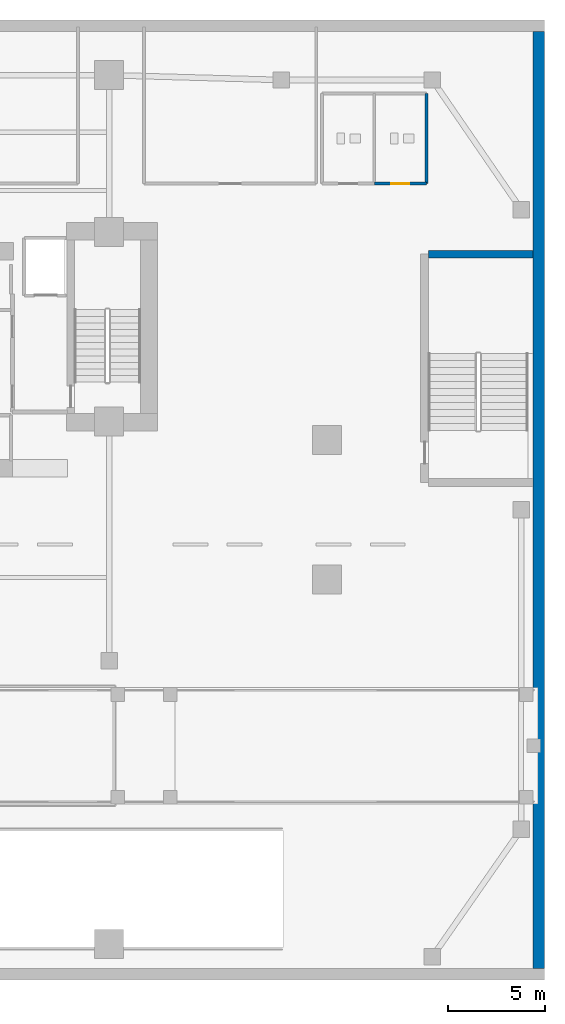
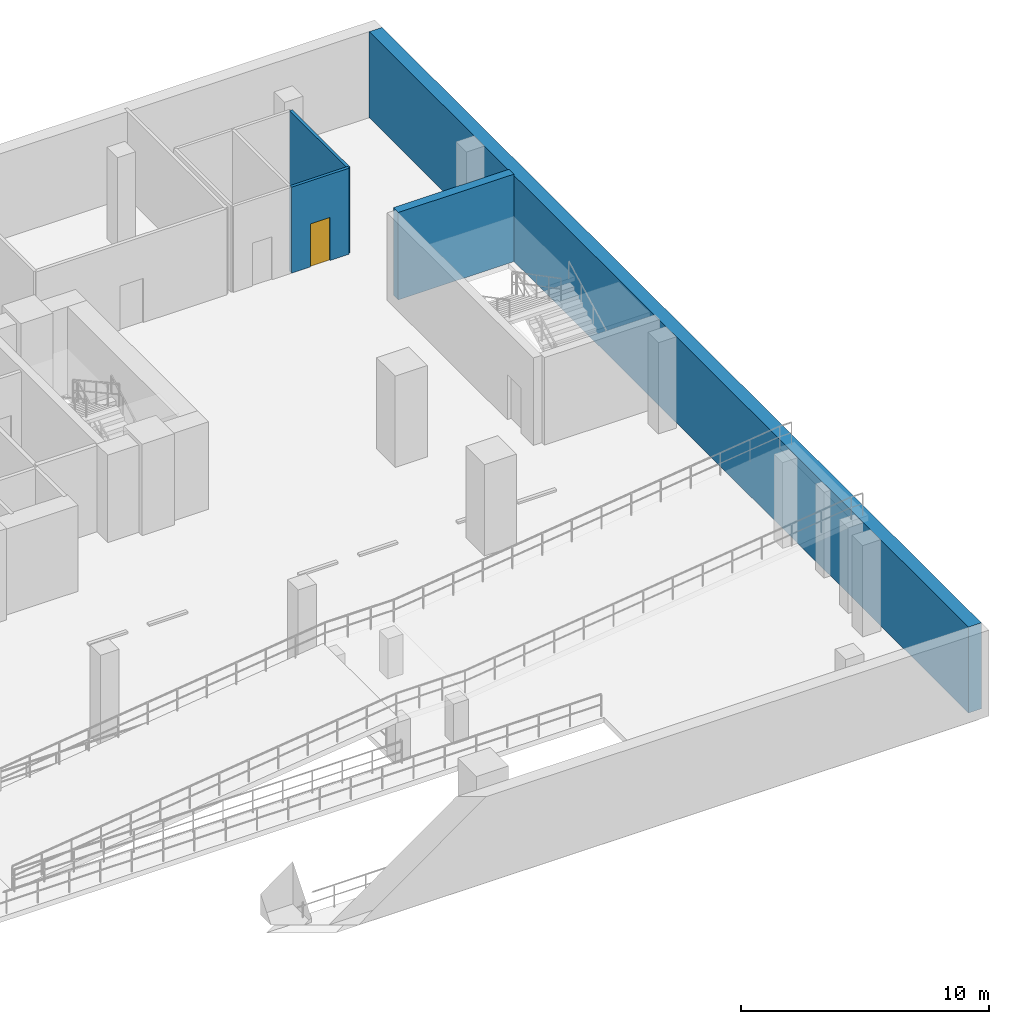
# One storey, part 7 of 13: 4 walls, 1 door, 1 opening.
"""IFC4 building model written with IfcOpenShell, lengths in metres."""

import ifcopenshell
import ifcopenshell.guid

model = None  # the IFC model being written
_history = None  # IfcOwnerHistory: only IFC2X3 demands one
_inside = {}  # id of a spatial element -> (the spatial element, [elements in it])
_under = {}  # id of a project, library or spatial element -> (it, [spatial elements below it])
_declared = {}  # id of a project -> (the project, [libraries it declares])
_typed = {}  # id of a type object -> (the type object, [elements of that type])
_made_of = {}  # id of a material, layer set ... -> (it, [elements and type objects made of it])


def new_model(schema):
    """Start an empty IFC model of exactly this schema.

    Asked for "IFC4X3", IfcOpenShell would pick the latest addendum, in which some entities
    have other attributes; the version numbers below select the first issue.
    IFC2X3 requires an IfcOwnerHistory on every rooted entity: one is made here for all.
    """
    global model, _history
    if schema == "IFC4X3":
        model = ifcopenshell.file(schema_version=(4, 3, 0, 0))
    else:
        model = ifcopenshell.file(schema=schema)
    _inside.clear()
    _under.clear()
    _declared.clear()
    _typed.clear()
    _made_of.clear()
    _history = None
    if model.schema == "IFC2X3":
        org = make("IfcOrganization", Name="unknown")
        user = make(
            "IfcPersonAndOrganization",
            ThePerson=make("IfcPerson", FamilyName="unknown"),
            TheOrganization=org,
        )
        app = make(
            "IfcApplication",
            ApplicationDeveloper=org,
            Version="unknown",
            ApplicationFullName="unknown",
            ApplicationIdentifier="unknown",
        )
        _history = make(
            "IfcOwnerHistory",
            OwningUser=user,
            OwningApplication=app,
            ChangeAction="ADDED",
            CreationDate=0,
        )
    return model


def make(cls, **values):
    """One entity of the class cls with the attributes given. An attribute that is None is left unset."""
    return model.create_entity(
        cls, **{name: value for name, value in values.items() if value is not None}
    )


def rooted(cls, **values):
    """An entity with a GlobalId (a new one), such as an element, a storey or a relation."""
    return make(cls, GlobalId=ifcopenshell.guid.new(), OwnerHistory=_history, **values)


def si_unit(unit_type, name, prefix=None):
    """IfcSIUnit, for example si_unit("LENGTHUNIT", "METRE", prefix="MILLI")."""
    return make("IfcSIUnit", UnitType=unit_type, Prefix=prefix, Name=name)


def assignment(units):
    """IfcUnitAssignment: the units of a project."""
    return None if units is None else make("IfcUnitAssignment", Units=units)


def point(xyz):
    """IfcCartesianPoint."""
    return None if xyz is None else make("IfcCartesianPoint", Coordinates=xyz)


def direction(xyz):
    """IfcDirection."""
    return None if xyz is None else make("IfcDirection", DirectionRatios=xyz)


def frame(location, z_axis=None, x_axis=None):
    """IfcAxis2Placement3D, a coordinate frame: its origin and axes. An axis left out is left unset."""
    return make(
        "IfcAxis2Placement3D",
        Location=point(location),
        Axis=direction(z_axis),
        RefDirection=direction(x_axis),
    )


def frame_2d(location, x_axis=None):
    """IfcAxis2Placement2D, a coordinate frame in the plane: its origin and x axis."""
    return make(
        "IfcAxis2Placement2D", Location=point(location), RefDirection=direction(x_axis)
    )


def origin():
    """The frame at (0, 0, 0) with its axes left unset."""
    return frame((0.0, 0.0, 0.0))


def place(relative_to, where):
    """IfcLocalPlacement: puts the frame where relative to a parent placement (None: the world)."""
    return make(
        "IfcLocalPlacement", PlacementRelTo=relative_to, RelativePlacement=where
    )


def context(
    kind, dimensions, precision=None, world=None, true_north=None, identifier=None
):
    """IfcGeometricRepresentationContext, for example the 3D "Model" context."""
    return make(
        "IfcGeometricRepresentationContext",
        ContextIdentifier=identifier,
        ContextType=kind,
        CoordinateSpaceDimension=dimensions,
        Precision=precision,
        WorldCoordinateSystem=world,
        TrueNorth=true_north,
    )


def subcontext(parent, identifier, kind, view, scale=None):
    """IfcGeometricRepresentationSubContext, for example "Body" below "Model"."""
    return make(
        "IfcGeometricRepresentationSubContext",
        ContextIdentifier=identifier,
        ContextType=kind,
        ParentContext=parent,
        TargetScale=scale,
        TargetView=view,
    )


def project(units=None, contexts=None):
    """IfcProject with its units and contexts."""
    return rooted(
        "IfcProject",
        Name="project",
        RepresentationContexts=contexts,
        UnitsInContext=assignment(units),
    )


def spatial(cls, under=None, at=None, **own):
    """A site, building, storey or space (cls), placed at a placement, below another one or the project."""
    s = rooted(cls, ObjectPlacement=at, **own)
    if under is not None:
        _under.setdefault(under.id(), (under, []))[1].append(s)
    return s


def profile(cls, at=None, kind="AREA", **sizes):
    """A parametric profile (cls). Its sizes go by their IFC names, for example OverallWidth=200.0."""
    return make(cls, ProfileType=kind, Position=at, **sizes)


def rectangle(**sizes):
    """IfcRectangleProfileDef."""
    return profile("IfcRectangleProfileDef", **sizes)


def extrude(swept, where, along, depth):
    """IfcExtrudedAreaSolid: the profile swept, set in the frame where, extruded along a direction by depth."""
    return make(
        "IfcExtrudedAreaSolid",
        SweptArea=swept,
        Position=where,
        ExtrudedDirection=direction(along),
        Depth=depth,
    )


def shape(context_of_items, identifier, shape_type, items):
    """IfcShapeRepresentation: the items that make up one representation, for example the "Body"."""
    return make(
        "IfcShapeRepresentation",
        ContextOfItems=context_of_items,
        RepresentationIdentifier=identifier,
        RepresentationType=shape_type,
        Items=items,
    )


def material(Name=None, Category=None):
    """IfcMaterial."""
    return make("IfcMaterial", Name=Name, Category=Category)


def layer(
    of_material, thickness, ventilated=None, Name=None, Category=None, Priority=None
):
    """IfcMaterialLayer: one layer of a wall or slab, of a material (None: an air gap)."""
    return make(
        "IfcMaterialLayer",
        Material=of_material,
        LayerThickness=thickness,
        IsVentilated=ventilated,
        Name=Name,
        Category=Category,
        Priority=Priority,
    )


def layer_set(layers, Name=None):
    """IfcMaterialLayerSet."""
    return make("IfcMaterialLayerSet", MaterialLayers=layers, LayerSetName=Name)


def made_of(thing, what):
    """Note that an element or type object is made of a material, layer set ...; save() writes the relation."""
    if what is not None:
        _made_of.setdefault(what.id(), (what, []))[1].append(thing)
    return thing


def type_object(cls, material=None, **own):
    """A type object (cls), such as IfcWallType, which elements share."""
    return made_of(rooted(cls, **own), material)


def element(
    cls,
    number,
    at=None,
    inside=None,
    cuts=None,
    type_object=None,
    material=None,
    context=None,
    identifier="Body",
    shape_type=None,
    held_by="IfcProductDefinitionShape",
    body=None,
    shapes=None,
    **own,
):
    """One element of the class cls, such as IfcWall. Its Tag is "e" and its number.

    at: its placement. inside: the storey or other place that contains it. cuts: it is an
    opening in that element (IfcRelVoidsElement). A single representation is given by context,
    identifier, shape_type and body (its items); several are given by shapes. held_by: the class
    of the entity that holds the representations. save() writes the other relations.
    """
    e = rooted(cls, Tag="e%d" % number, ObjectPlacement=at, **own)
    if body is not None:
        shapes = [shape(context, identifier, shape_type, body)]
    if shapes is not None:
        e.Representation = make(held_by, Representations=shapes)
    if inside is not None:
        _inside.setdefault(inside.id(), (inside, []))[1].append(e)
    if cuts is not None:
        rooted(
            "IfcRelVoidsElement", RelatingBuildingElement=cuts, RelatedOpeningElement=e
        )
    if type_object is not None:
        _typed.setdefault(type_object.id(), (type_object, []))[1].append(e)
    return made_of(e, material)


def fill(opening, filler):
    """IfcRelFillsElement: the door or window that sits in an opening."""
    return rooted(
        "IfcRelFillsElement",
        RelatingOpeningElement=opening,
        RelatedBuildingElement=filler,
    )


def aggregate(whole, parts):
    """IfcRelAggregates: a whole, such as a stair, and the parts it consists of."""
    return rooted("IfcRelAggregates", RelatingObject=whole, RelatedObjects=parts)


def save(model, path):
    """Write the relations noted so far, then the file.

    IfcRelAggregates (storeys below a building ...), IfcRelContainedInSpatialStructure (elements
    in a storey), IfcRelDefinesByType, IfcRelAssociatesMaterial and IfcRelDeclares: one each for
    every whole, place, type object, material and project.
    """
    for whole, parts in _under.values():
        aggregate(whole, parts)
    for where, things in _inside.values():
        rooted(
            "IfcRelContainedInSpatialStructure",
            RelatedElements=things,
            RelatingStructure=where,
        )
    for kind, things in _typed.values():
        rooted("IfcRelDefinesByType", RelatedObjects=things, RelatingType=kind)
    for what, things in _made_of.values():
        rooted("IfcRelAssociatesMaterial", RelatedObjects=things, RelatingMaterial=what)
    for by, libraries in _declared.values():
        rooted("IfcRelDeclares", RelatingContext=by, RelatedDefinitions=libraries)
    model.write(path)


model = new_model("IFC4")

# Units and contexts
model_context = context("Model", 3, precision=1e-05, world=origin(), true_north=direction((0.0, 1.0)))
body_context = subcontext(model_context, "Body", "Model", "MODEL_VIEW")
ifc_project = project(units=[si_unit("LENGTHUNIT", "METRE"), si_unit("AREAUNIT", "SQUARE_METRE"), si_unit("VOLUMEUNIT", "CUBIC_METRE"), si_unit("PLANEANGLEUNIT", "RADIAN"), si_unit("MASSUNIT", "GRAM", prefix="KILO")], contexts=[model_context])

# Site, building, storey
site_placement = place(None, origin())
site = spatial("IfcSite", under=ifc_project, at=site_placement, CompositionType="ELEMENT")
building_placement = place(site_placement, origin())
building = spatial("IfcBuilding", under=site, at=building_placement, Name="Zuhayl Quay Hotel", CompositionType="ELEMENT")
storey_placement = place(building_placement, frame((0.0, 0.0, -4.5)))
storey = spatial("IfcBuildingStorey", under=building, at=storey_placement, Name="B1", CompositionType="ELEMENT", Elevation=-4.5)

# Wall, opening, door
ifc_material_1 = material(Name="Moisture-Resistant Sanitarychase Gypsum")
ifc_layer_1 = layer(ifc_material_1, 0.135009765625, Name="Moisture-Resistant Sanitarychase Gypsum")
ifc_layer_set_1 = layer_set([ifc_layer_1], Name="Moisture-Resistant Sanitarychase Gypsum")
wall_type_1 = type_object("IfcWallType", Name="WL_PART_PLUMB_150", PredefinedType="PLUMBINGWALL", material=ifc_layer_set_1)
wall_1_placement = place(storey_placement, frame((27.5, 16.85009765625, 0.0), z_axis=(0.0, 0.0, 1.0), x_axis=(1.0, 0.0, 0.0)))
wall_1 = element("IfcWall", 1, at=wall_1_placement, inside=storey, type_object=wall_type_1, Name="B1 Partition IW_B1_BWC_ACC_F", PredefinedType="PLUMBINGWALL", context=body_context, shape_type="SweptSolid", body=[
    extrude(rectangle(XDim=2.699951171875, YDim=0.135009765625, at=frame_2d((1.35009765625, 0.0))), origin(), (0.0, 0.0, 1.0), 4.239990234375),
])
opening_placement = place(wall_1_placement, frame((0.889892578125, 0.0, 0.0)))
opening = element("IfcOpeningElement", 2, at=opening_placement, cuts=wall_1, Name="Opening D05", PredefinedType="OPENING", context=body_context, shape_type="SweptSolid", body=[
    extrude(rectangle(XDim=0.919921875, YDim=2.1201171875, at=frame_2d((0.4599609375, 1.06005859375))), frame((0.0, 0.077392578125, 0.0), z_axis=(0.0, -1.0, 0.0), x_axis=(1.0, 0.0, 0.0)), (0.0, 0.0, 1.0), 0.155029296875),
])
ifc_material_2 = material(Name="Solid Walnut Acoustic Fire Door")
door_type = type_object("IfcDoorType", Name="DR_INT_950", OperationType="NOTDEFINED", PredefinedType="DOOR", material=ifc_material_2)
door_placement = place(opening_placement, origin())
door = element("IfcDoor", 3, at=door_placement, inside=storey, type_object=door_type, Name="B1 Accessible Wheelchair WC Door", OperationType="SINGLE_SWING_LEFT", OverallHeight=2.1201171875, OverallWidth=0.919921875, PredefinedType="DOOR", context=body_context, shape_type="SweptSolid", body=[
    extrude(rectangle(XDim=0.919921875, YDim=2.1201171875, at=frame_2d((0.4599609375, 1.06005859375))), frame((0.0, 0.02490234375, 0.0), z_axis=(0.0, -1.0, 0.0), x_axis=(1.0, 0.0, 0.0)), (0.0, 0.0, 1.0), 0.050048828125),
])
fill(opening, door)

# Walls
wall_2_placement = place(storey_placement, frame((30.199951171875, 16.85009765625, 0.0), z_axis=(0.0, 0.0, 1.0), x_axis=(0.0, 1.0, 0.0)))
element("IfcWall", 4, at=wall_2_placement, inside=storey, type_object=wall_type_1, Name="B1 Partition IW_B1_BWC_E", PredefinedType="PLUMBINGWALL", context=body_context, shape_type="SweptSolid", body=[
    extrude(rectangle(XDim=4.64990234375, YDim=0.135009765625, at=frame_2d((2.324951171875, 0.0))), origin(), (0.0, 0.0, 1.0), 4.239990234375),
])
ifc_material_3 = material(Name="Concrete C50/60", Category="concrete")
ifc_layer_2 = layer(ifc_material_3, 0.60009765625, Name="Concrete C50/60", Category="concrete")
ifc_layer_set_2 = layer_set([ifc_layer_2], Name="Concrete C50/60")
wall_type_2 = type_object("IfcWallType", Name="WL_RET_600", PredefinedType="USERDEFINED", material=ifc_layer_set_2)
wall_3_placement = place(storey_placement, frame((36.0, 24.699951171875, 0.0), z_axis=(0.0, 0.0, 1.0), x_axis=(0.0, -1.0, 0.0)))
element("IfcWall", 5, at=wall_3_placement, inside=storey, type_object=wall_type_2, Name="B1 Basement Retaining Wall E", ObjectType="RETAINING WALL", PredefinedType="USERDEFINED", context=body_context, shape_type="SweptSolid", body=[
    extrude(rectangle(XDim=48.39990234375, YDim=0.60009765625, at=frame_2d((24.199951171875, 0.0))), origin(), (0.0, 0.0, 1.0), 4.239990234375),
])
ifc_material_4 = material(Name="Concrete C60/75", Category="concrete")
ifc_layer_3 = layer(ifc_material_4, 0.39990234375, Name="Concrete C60/75", Category="concrete")
ifc_layer_set_3 = layer_set([ifc_layer_3], Name="Concrete C60/75")
wall_type_3 = type_object("IfcWallType", Name="WL_STAIR_400", PredefinedType="SHEAR", material=ifc_layer_set_3)
wall_4_placement = place(storey_placement, frame((30.300048828125, 13.199951171875, 0.0), z_axis=(0.0, 0.0, 1.0), x_axis=(1.0, 0.0, 0.0)))
element("IfcWall", 6, at=wall_4_placement, inside=storey, type_object=wall_type_3, Name="B1 Podium Stair Shear Wall SW_ST4_N", PredefinedType="SHEAR", context=body_context, shape_type="SweptSolid", body=[
    extrude(rectangle(XDim=5.39990234375, YDim=0.39990234375, at=frame_2d((2.699951171875, 0.0))), origin(), (0.0, 0.0, 1.0), 4.31005859375),
])

save(model, "model.ifc")
